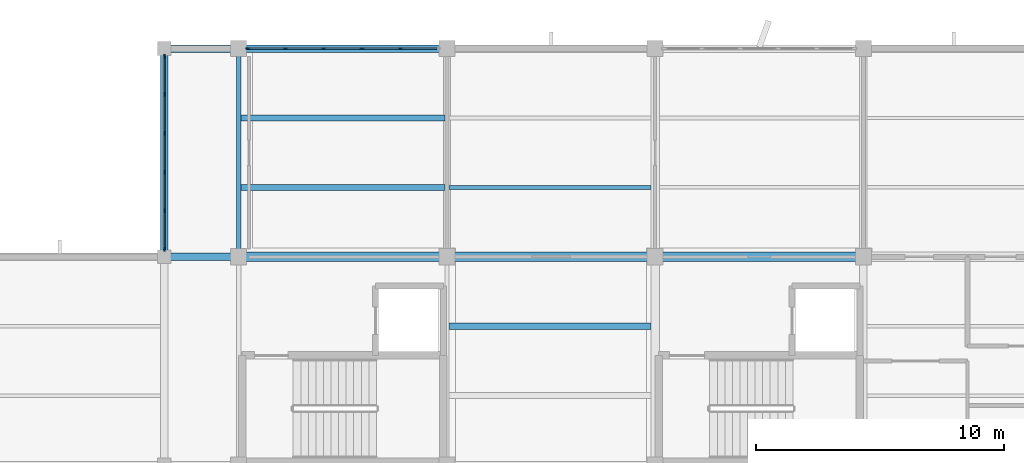
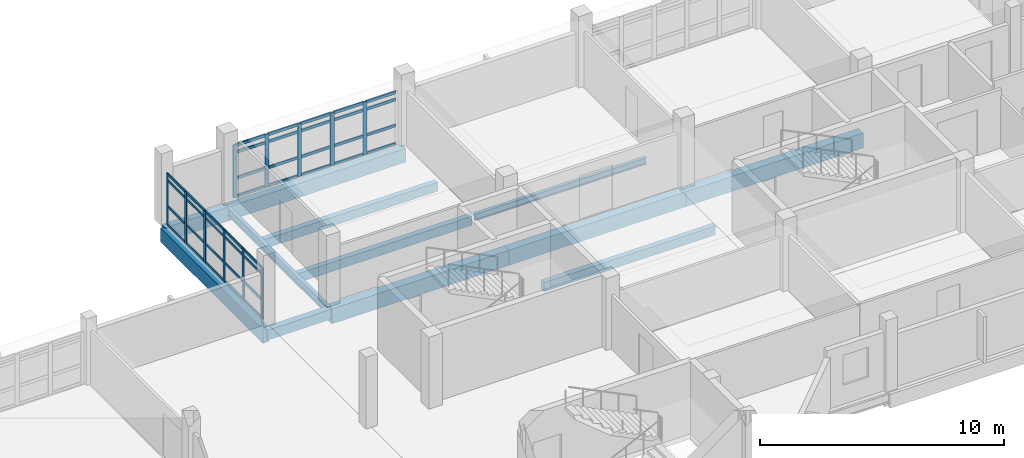
# One storey, part 20 of 51: 51 members, 12 beams, 2 elements without a shape of their own.
"""IFC4 building model written with IfcOpenShell, lengths in metres."""

from ifc_helpers import new_model, si_unit, direction, frame, origin, origin_2d, place, context, subcontext, project, spatial, rectangle, i_section, extrude, material, material_profile, profile_set, type_object, element, aggregate, save


model = new_model("IFC4")

# Units and contexts
model_context = context("Model", 3, precision=1e-05, world=origin(), true_north=direction((0.0, 1.0)))
body_context = subcontext(model_context, "Body", "Model", "MODEL_VIEW")
ifc_project = project(units=[si_unit("LENGTHUNIT", "METRE"), si_unit("AREAUNIT", "SQUARE_METRE"), si_unit("VOLUMEUNIT", "CUBIC_METRE"), si_unit("PLANEANGLEUNIT", "RADIAN"), si_unit("MASSUNIT", "GRAM", prefix="KILO")], contexts=[model_context])

# Site, building, storey
site_placement = place(None, origin())
site = spatial("IfcSite", under=ifc_project, at=site_placement, CompositionType="ELEMENT")
building_placement = place(site_placement, origin())
building = spatial("IfcBuilding", under=site, at=building_placement, Name="Vanh Quang Courtyard School", CompositionType="ELEMENT")
storey_placement = place(building_placement, frame((0.0, 0.0, 11.39990234375)))
storey = spatial("IfcBuildingStorey", under=building, at=storey_placement, Name="L03", CompositionType="ELEMENT", Elevation=11.39990234375)

# Beams
ifc_material_1 = material(Name="Concrete C35/45", Category="concrete")
ifc_material_profile_1 = material_profile(ifc_material_1, rectangle(XDim=0.300048828125, YDim=0.5, at=origin_2d()), Name="RC-BM 300x500")
ifc_profile_set_1 = profile_set([ifc_material_profile_1], Name="Concrete C35/45")
beam_type_1 = type_object("IfcBeamType", Name="BM-RC-300x500", PredefinedType="BEAM", material=ifc_profile_set_1)
beam_1_placement = place(storey_placement, frame((74.39990234375, 88.199951171875, -0.5498046875), z_axis=(1.0, 0.0, 0.0), x_axis=(0.0, 1.0, 0.0)))
element("IfcBeam", 1, at=beam_1_placement, inside=storey, type_object=beam_type_1, Name="Beam B-08 (L03)", PredefinedType="BEAM", context=body_context, shape_type="SweptSolid", body=[
    extrude(rectangle(XDim=0.300048828125, YDim=0.5, at=origin_2d()), origin(), (0.0, 0.0, 1.0), 3.0),
])
ifc_material_profile_2 = material_profile(ifc_material_1, rectangle(XDim=0.39990234375, YDim=0.75, at=origin_2d()), Name="RC-BM 400x750")
ifc_profile_set_2 = profile_set([ifc_material_profile_2], Name="Concrete C35/45")
beam_type_2 = type_object("IfcBeamType", Name="BM-RC-400x750", PredefinedType="BEAM", material=ifc_profile_set_2)
beam_2_placement = place(storey_placement, frame((77.39990234375, 88.199951171875, -0.635009765625), z_axis=(1.0, 0.0, 0.0), x_axis=(0.0, 1.0, 0.0)))
element("IfcBeam", 2, at=beam_2_placement, inside=storey, type_object=beam_type_2, Name="Beam B-03 (L03)", PredefinedType="BEAM", context=body_context, shape_type="SweptSolid", body=[
    extrude(rectangle(XDim=0.39990234375, YDim=0.75, at=origin_2d()), origin(), (0.0, 0.0, 1.0), 8.400146484375),
])
beam_3_placement = place(storey_placement, frame((85.800048828125, 88.199951171875, -0.635009765625), z_axis=(1.0, 0.0, 0.0), x_axis=(0.0, 1.0, 0.0)))
element("IfcBeam", 3, at=beam_3_placement, inside=storey, type_object=beam_type_2, Name="Beam B-03 (L03)", PredefinedType="BEAM", context=body_context, shape_type="SweptSolid", body=[
    extrude(rectangle(XDim=0.39990234375, YDim=0.75, at=origin_2d()), origin(), (0.0, 0.0, 1.0), 8.39990234375),
])
beam_4_placement = place(storey_placement, frame((94.199951171875, 88.199951171875, -0.635009765625), z_axis=(1.0, 0.0, 0.0), x_axis=(0.0, 1.0, 0.0)))
element("IfcBeam", 4, at=beam_4_placement, inside=storey, type_object=beam_type_2, Name="Beam B-03 (L03)", PredefinedType="BEAM", context=body_context, shape_type="SweptSolid", body=[
    extrude(rectangle(XDim=0.39990234375, YDim=0.75, at=origin_2d()), origin(), (0.0, 0.0, 1.0), 8.400146484375),
])
ifc_material_profile_3 = material_profile(ifc_material_1, rectangle(XDim=0.300048828125, YDim=0.699951171875, at=origin_2d()), Name="RC-SP 300x700")
ifc_profile_set_3 = profile_set([ifc_material_profile_3], Name="Concrete C35/45")
beam_type_3 = type_object("IfcBeamType", Name="BM-SP-300x700", PredefinedType="SPANDREL", material=ifc_profile_set_3)
beam_5_placement = place(storey_placement, frame((74.39990234375, 96.60009765625, -0.60986328125), z_axis=(1.0, 0.0, 0.0), x_axis=(0.0, 1.0, 0.0)))
element("IfcBeam", 5, at=beam_5_placement, inside=storey, type_object=beam_type_3, Name="Beam BS-01 (L03)", PredefinedType="SPANDREL", context=body_context, shape_type="SweptSolid", body=[
    extrude(rectangle(XDim=0.300048828125, YDim=0.699951171875, at=origin_2d()), origin(), (0.0, 0.0, 1.0), 3.0),
])
for number, where, z_axis, x_axis, name in (
    (6, (77.39990234375, 96.60009765625, -0.60986328125), (1.0, 0.0, 0.0), (0.0, 1.0, 0.0), "Beam BS-01 (L03)"),
    (7, (74.39990234375, 88.199951171875, -0.64990234375), (0.0, 1.0, 0.0), (-1.0, 0.0, 0.0), "Beam BS-01 (L03)"),
):
    element("IfcBeam", number, at=place(storey_placement, frame(where, z_axis=z_axis, x_axis=x_axis)), inside=storey, type_object=beam_type_3, Name=name, PredefinedType="SPANDREL", context=body_context, shape_type="SweptSolid", body=[
        extrude(rectangle(XDim=0.300048828125, YDim=0.699951171875, at=origin_2d()), origin(), (0.0, 0.0, 1.0), 8.400146484375),
    ])
ifc_material_2 = material(Name="Structural steel EN 10025-2 S355J2", Category="steel")
ifc_material_profile_4 = material_profile(ifc_material_2, i_section(OverallWidth=0.179931640625, OverallDepth=0.39990234375, WebThickness=0.008544921875, FlangeThickness=0.013427734375, FilletRadius=0.02099609375, at=origin_2d()), Name="IPE 400")
ifc_profile_set_4 = profile_set([ifc_material_profile_4], Name="Structural steel EN 10025-2 S355J2")
beam_type_4 = type_object("IfcBeamType", Name="BM-STL-IPE400", PredefinedType="BEAM", material=ifc_profile_set_4)
beam_6_placement = place(storey_placement, frame((77.39990234375, 88.199951171875, -0.4599609375), z_axis=(0.0, 1.0, 0.0), x_axis=(-1.0, 0.0, 0.0)))
element("IfcBeam", 8, at=beam_6_placement, inside=storey, type_object=beam_type_4, Name="Beam SB-05 (L03)", PredefinedType="BEAM", context=body_context, shape_type="SweptSolid", body=[
    extrude(i_section(OverallWidth=0.179931640625, OverallDepth=0.39990234375, WebThickness=0.008544921875, FlangeThickness=0.013427734375, FilletRadius=0.02099609375, at=origin_2d()), origin(), (0.0, 0.0, 1.0), 8.400146484375),
])

# Curtain wall, members
ifc_material_3 = material(Name="Thermally broken aluminium unitised curtain wall", Category="aluminium")
curtain_wall_type_1 = type_object("IfcCurtainWallType", Name="CW-SYS-24", PredefinedType="NOTDEFINED", material=ifc_material_3)
curtain_wall_1_placement = place(storey_placement, origin())
curtain_wall_1 = element("IfcCurtainWall", 9, at=curtain_wall_1_placement, inside=storey, type_object=curtain_wall_type_1, Name="Curtain Wall CW-24 (L03)", PredefinedType="NOTDEFINED")
ifc_material_4 = material(Name="Anodised aluminium 6063-T6", Category="aluminium")
ifc_material_profile_5 = material_profile(ifc_material_4, rectangle(XDim=0.06005859375, YDim=0.159912109375, at=origin_2d()), Name="ALU-MUL 60x160")
ifc_profile_set_5 = profile_set([ifc_material_profile_5], Name="Anodised aluminium 6063-T6")
member_type_1 = type_object("IfcMemberType", Name="CW-MUL-60x160", PredefinedType="MULLION", material=ifc_profile_set_5)
member_1_placement = place(storey_placement, frame((74.39990234375, 88.512939453125, 0.0), z_axis=(0.0, 0.0, 1.0), x_axis=(-1.0, 0.0, 0.0)))
member_1 = element("IfcMember", 10, at=member_1_placement, type_object=member_type_1, Name="CW-24 mullion 1", PredefinedType="MULLION", context=body_context, shape_type="SweptSolid", body=[
    extrude(rectangle(XDim=0.06005859375, YDim=0.159912109375, at=origin_2d()), origin(), (0.0, 0.0, 1.0), 2.580078125),
])
member_2_placement = place(storey_placement, frame((74.39990234375, 90.0498046875, 0.0), z_axis=(0.0, 0.0, 1.0), x_axis=(-1.0, 0.0, 0.0)))
member_2 = element("IfcMember", 11, at=member_2_placement, type_object=member_type_1, Name="CW-24 mullion 2", PredefinedType="MULLION", context=body_context, shape_type="SweptSolid", body=[
    extrude(rectangle(XDim=0.06005859375, YDim=0.159912109375, at=origin_2d()), origin(), (0.0, 0.0, 1.0), 2.580078125),
])
member_3_placement = place(storey_placement, frame((74.39990234375, 91.61669921875, 0.0), z_axis=(0.0, 0.0, 1.0), x_axis=(-1.0, 0.0, 0.0)))
member_3 = element("IfcMember", 12, at=member_3_placement, type_object=member_type_1, Name="CW-24 mullion 3", PredefinedType="MULLION", context=body_context, shape_type="SweptSolid", body=[
    extrude(rectangle(XDim=0.06005859375, YDim=0.159912109375, at=origin_2d()), origin(), (0.0, 0.0, 1.0), 2.580078125),
])
member_4_placement = place(storey_placement, frame((74.39990234375, 93.183349609375, 0.0), z_axis=(0.0, 0.0, 1.0), x_axis=(-1.0, 0.0, 0.0)))
member_4 = element("IfcMember", 13, at=member_4_placement, type_object=member_type_1, Name="CW-24 mullion 4", PredefinedType="MULLION", context=body_context, shape_type="SweptSolid", body=[
    extrude(rectangle(XDim=0.06005859375, YDim=0.159912109375, at=origin_2d()), origin(), (0.0, 0.0, 1.0), 2.580078125),
])
member_5_placement = place(storey_placement, frame((74.39990234375, 94.750244140625, 0.0), z_axis=(0.0, 0.0, 1.0), x_axis=(-1.0, 0.0, 0.0)))
member_5 = element("IfcMember", 14, at=member_5_placement, type_object=member_type_1, Name="CW-24 mullion 5", PredefinedType="MULLION", context=body_context, shape_type="SweptSolid", body=[
    extrude(rectangle(XDim=0.06005859375, YDim=0.159912109375, at=origin_2d()), origin(), (0.0, 0.0, 1.0), 2.580078125),
])
member_6_placement = place(storey_placement, frame((74.39990234375, 96.287109375, 0.0), z_axis=(0.0, 0.0, 1.0), x_axis=(-1.0, 0.0, 0.0)))
member_6 = element("IfcMember", 15, at=member_6_placement, type_object=member_type_1, Name="CW-24 mullion 6", PredefinedType="MULLION", context=body_context, shape_type="SweptSolid", body=[
    extrude(rectangle(XDim=0.06005859375, YDim=0.159912109375, at=origin_2d()), origin(), (0.0, 0.0, 1.0), 2.580078125),
])

curtain_wall_type_2 = type_object("IfcCurtainWallType", Name="CW-SYS-21", PredefinedType="NOTDEFINED", material=ifc_material_3)
curtain_wall_2_placement = place(storey_placement, origin())
curtain_wall_2 = element("IfcCurtainWall", 16, at=curtain_wall_2_placement, inside=storey, type_object=curtain_wall_type_2, Name="Curtain Wall CW-21 (L03)", PredefinedType="NOTDEFINED")
ifc_material_profile_6 = material_profile(ifc_material_4, rectangle(XDim=0.070068359375, YDim=0.179931640625, at=origin_2d()), Name="ALU-MUL 70x180")
ifc_profile_set_6 = profile_set([ifc_material_profile_6], Name="Anodised aluminium 6063-T6")
member_type_2 = type_object("IfcMemberType", Name="CW-MUL-70x180", PredefinedType="MULLION", material=ifc_profile_set_6)
member_7_placement = place(storey_placement, frame((77.76806640625, 96.60009765625, 0.0), z_axis=(0.0, 0.0, 1.0), x_axis=(0.0, 1.0, 0.0)))
member_7 = element("IfcMember", 17, at=member_7_placement, type_object=member_type_2, Name="CW-21 mullion 1", PredefinedType="MULLION", context=body_context, shape_type="SweptSolid", body=[
    extrude(rectangle(XDim=0.070068359375, YDim=0.179931640625, at=origin_2d()), origin(), (0.0, 0.0, 1.0), 2.64013671875),
])
member_8_placement = place(storey_placement, frame((79.27978515625, 96.60009765625, 0.0), z_axis=(0.0, 0.0, 1.0), x_axis=(0.0, 1.0, 0.0)))
member_8 = element("IfcMember", 18, at=member_8_placement, type_object=member_type_2, Name="CW-21 mullion 2", PredefinedType="MULLION", context=body_context, shape_type="SweptSolid", body=[
    extrude(rectangle(XDim=0.070068359375, YDim=0.179931640625, at=origin_2d()), origin(), (0.0, 0.0, 1.0), 2.64013671875),
])
member_9_placement = place(storey_placement, frame((80.82666015625, 96.60009765625, 0.0), z_axis=(0.0, 0.0, 1.0), x_axis=(0.0, 1.0, 0.0)))
member_9 = element("IfcMember", 19, at=member_9_placement, type_object=member_type_2, Name="CW-21 mullion 3", PredefinedType="MULLION", context=body_context, shape_type="SweptSolid", body=[
    extrude(rectangle(XDim=0.070068359375, YDim=0.179931640625, at=origin_2d()), origin(), (0.0, 0.0, 1.0), 2.64013671875),
])
member_10_placement = place(storey_placement, frame((82.373291015625, 96.60009765625, 0.0), z_axis=(0.0, 0.0, 1.0), x_axis=(0.0, 1.0, 0.0)))
member_10 = element("IfcMember", 20, at=member_10_placement, type_object=member_type_2, Name="CW-21 mullion 4", PredefinedType="MULLION", context=body_context, shape_type="SweptSolid", body=[
    extrude(rectangle(XDim=0.070068359375, YDim=0.179931640625, at=origin_2d()), origin(), (0.0, 0.0, 1.0), 2.64013671875),
])
member_11_placement = place(storey_placement, frame((83.920166015625, 96.60009765625, 0.0), z_axis=(0.0, 0.0, 1.0), x_axis=(0.0, 1.0, 0.0)))
member_11 = element("IfcMember", 21, at=member_11_placement, type_object=member_type_2, Name="CW-21 mullion 5", PredefinedType="MULLION", context=body_context, shape_type="SweptSolid", body=[
    extrude(rectangle(XDim=0.070068359375, YDim=0.179931640625, at=origin_2d()), origin(), (0.0, 0.0, 1.0), 2.64013671875),
])

# Member
ifc_material_profile_7 = material_profile(ifc_material_4, rectangle(XDim=0.06005859375, YDim=0.1201171875, at=origin_2d()), Name="ALU-TRN 60x120")
ifc_profile_set_7 = profile_set([ifc_material_profile_7], Name="Anodised aluminium 6063-T6")
member_type_3 = type_object("IfcMemberType", Name="CW-TRN-60x120", PredefinedType="USERDEFINED", material=ifc_profile_set_7)
member_12_placement = place(storey_placement, frame((74.39990234375, 88.54296875, 0.030029296875), z_axis=(0.0, 1.0, 0.0), x_axis=(-1.0, 0.0, 0.0)))
member_12 = element("IfcMember", 22, at=member_12_placement, type_object=member_type_3, Name="CW-24 transom 1.1", ObjectType="TRANSOM", PredefinedType="USERDEFINED", context=body_context, shape_type="SweptSolid", body=[
    extrude(rectangle(XDim=0.06005859375, YDim=0.1201171875, at=origin_2d()), origin(), (0.0, 0.0, 1.0), 1.476806640625),
])

member_13_placement = place(storey_placement, frame((74.39990234375, 88.54296875, 0.9501953125), z_axis=(0.0, 1.0, 0.0), x_axis=(-1.0, 0.0, 0.0)))
member_13 = element("IfcMember", 23, at=member_13_placement, type_object=member_type_3, Name="CW-24 transom 1.2", ObjectType="TRANSOM", PredefinedType="USERDEFINED", context=body_context, shape_type="SweptSolid", body=[
    extrude(rectangle(XDim=0.06005859375, YDim=0.1201171875, at=origin_2d()), origin(), (0.0, 0.0, 1.0), 1.476806640625),
])

member_14_placement = place(storey_placement, frame((74.39990234375, 88.54296875, 2.25), z_axis=(0.0, 1.0, 0.0), x_axis=(-1.0, 0.0, 0.0)))
member_14 = element("IfcMember", 24, at=member_14_placement, type_object=member_type_3, Name="CW-24 transom 1.3", ObjectType="TRANSOM", PredefinedType="USERDEFINED", context=body_context, shape_type="SweptSolid", body=[
    extrude(rectangle(XDim=0.06005859375, YDim=0.1201171875, at=origin_2d()), origin(), (0.0, 0.0, 1.0), 1.476806640625),
])

member_15_placement = place(storey_placement, frame((74.39990234375, 88.54296875, 2.550048828125), z_axis=(0.0, 1.0, 0.0), x_axis=(-1.0, 0.0, 0.0)))
member_15 = element("IfcMember", 25, at=member_15_placement, type_object=member_type_3, Name="CW-24 transom 1.4", ObjectType="TRANSOM", PredefinedType="USERDEFINED", context=body_context, shape_type="SweptSolid", body=[
    extrude(rectangle(XDim=0.06005859375, YDim=0.1201171875, at=origin_2d()), origin(), (0.0, 0.0, 1.0), 1.476806640625),
])

member_16_placement = place(storey_placement, frame((74.39990234375, 90.079833984375, 0.030029296875), z_axis=(0.0, 1.0, 0.0), x_axis=(-1.0, 0.0, 0.0)))
member_16 = element("IfcMember", 26, at=member_16_placement, type_object=member_type_3, Name="CW-24 transom 2.1", ObjectType="TRANSOM", PredefinedType="USERDEFINED", context=body_context, shape_type="SweptSolid", body=[
    extrude(rectangle(XDim=0.06005859375, YDim=0.1201171875, at=origin_2d()), origin(), (0.0, 0.0, 1.0), 1.5068359375),
])

member_17_placement = place(storey_placement, frame((74.39990234375, 90.079833984375, 0.9501953125), z_axis=(0.0, 1.0, 0.0), x_axis=(-1.0, 0.0, 0.0)))
member_17 = element("IfcMember", 27, at=member_17_placement, type_object=member_type_3, Name="CW-24 transom 2.2", ObjectType="TRANSOM", PredefinedType="USERDEFINED", context=body_context, shape_type="SweptSolid", body=[
    extrude(rectangle(XDim=0.06005859375, YDim=0.1201171875, at=origin_2d()), origin(), (0.0, 0.0, 1.0), 1.5068359375),
])

member_18_placement = place(storey_placement, frame((74.39990234375, 90.079833984375, 2.25), z_axis=(0.0, 1.0, 0.0), x_axis=(-1.0, 0.0, 0.0)))
member_18 = element("IfcMember", 28, at=member_18_placement, type_object=member_type_3, Name="CW-24 transom 2.3", ObjectType="TRANSOM", PredefinedType="USERDEFINED", context=body_context, shape_type="SweptSolid", body=[
    extrude(rectangle(XDim=0.06005859375, YDim=0.1201171875, at=origin_2d()), origin(), (0.0, 0.0, 1.0), 1.5068359375),
])

member_19_placement = place(storey_placement, frame((74.39990234375, 90.079833984375, 2.550048828125), z_axis=(0.0, 1.0, 0.0), x_axis=(-1.0, 0.0, 0.0)))
member_19 = element("IfcMember", 29, at=member_19_placement, type_object=member_type_3, Name="CW-24 transom 2.4", ObjectType="TRANSOM", PredefinedType="USERDEFINED", context=body_context, shape_type="SweptSolid", body=[
    extrude(rectangle(XDim=0.06005859375, YDim=0.1201171875, at=origin_2d()), origin(), (0.0, 0.0, 1.0), 1.5068359375),
])

member_20_placement = place(storey_placement, frame((74.39990234375, 91.646484375, 0.030029296875), z_axis=(0.0, 1.0, 0.0), x_axis=(-1.0, 0.0, 0.0)))
member_20 = element("IfcMember", 30, at=member_20_placement, type_object=member_type_3, Name="CW-24 transom 3.1", ObjectType="TRANSOM", PredefinedType="USERDEFINED", context=body_context, shape_type="SweptSolid", body=[
    extrude(rectangle(XDim=0.06005859375, YDim=0.1201171875, at=origin_2d()), origin(), (0.0, 0.0, 1.0), 1.5068359375),
])

member_21_placement = place(storey_placement, frame((74.39990234375, 91.646484375, 0.9501953125), z_axis=(0.0, 1.0, 0.0), x_axis=(-1.0, 0.0, 0.0)))
member_21 = element("IfcMember", 31, at=member_21_placement, type_object=member_type_3, Name="CW-24 transom 3.2", ObjectType="TRANSOM", PredefinedType="USERDEFINED", context=body_context, shape_type="SweptSolid", body=[
    extrude(rectangle(XDim=0.06005859375, YDim=0.1201171875, at=origin_2d()), origin(), (0.0, 0.0, 1.0), 1.5068359375),
])

member_22_placement = place(storey_placement, frame((74.39990234375, 91.646484375, 2.25), z_axis=(0.0, 1.0, 0.0), x_axis=(-1.0, 0.0, 0.0)))
member_22 = element("IfcMember", 32, at=member_22_placement, type_object=member_type_3, Name="CW-24 transom 3.3", ObjectType="TRANSOM", PredefinedType="USERDEFINED", context=body_context, shape_type="SweptSolid", body=[
    extrude(rectangle(XDim=0.06005859375, YDim=0.1201171875, at=origin_2d()), origin(), (0.0, 0.0, 1.0), 1.5068359375),
])

member_23_placement = place(storey_placement, frame((74.39990234375, 91.646484375, 2.550048828125), z_axis=(0.0, 1.0, 0.0), x_axis=(-1.0, 0.0, 0.0)))
member_23 = element("IfcMember", 33, at=member_23_placement, type_object=member_type_3, Name="CW-24 transom 3.4", ObjectType="TRANSOM", PredefinedType="USERDEFINED", context=body_context, shape_type="SweptSolid", body=[
    extrude(rectangle(XDim=0.06005859375, YDim=0.1201171875, at=origin_2d()), origin(), (0.0, 0.0, 1.0), 1.5068359375),
])

member_24_placement = place(storey_placement, frame((74.39990234375, 93.21337890625, 0.030029296875), z_axis=(0.0, 1.0, 0.0), x_axis=(-1.0, 0.0, 0.0)))
member_24 = element("IfcMember", 34, at=member_24_placement, type_object=member_type_3, Name="CW-24 transom 4.1", ObjectType="TRANSOM", PredefinedType="USERDEFINED", context=body_context, shape_type="SweptSolid", body=[
    extrude(rectangle(XDim=0.06005859375, YDim=0.1201171875, at=origin_2d()), origin(), (0.0, 0.0, 1.0), 1.5068359375),
])

member_25_placement = place(storey_placement, frame((74.39990234375, 93.21337890625, 0.9501953125), z_axis=(0.0, 1.0, 0.0), x_axis=(-1.0, 0.0, 0.0)))
member_25 = element("IfcMember", 35, at=member_25_placement, type_object=member_type_3, Name="CW-24 transom 4.2", ObjectType="TRANSOM", PredefinedType="USERDEFINED", context=body_context, shape_type="SweptSolid", body=[
    extrude(rectangle(XDim=0.06005859375, YDim=0.1201171875, at=origin_2d()), origin(), (0.0, 0.0, 1.0), 1.5068359375),
])

member_26_placement = place(storey_placement, frame((74.39990234375, 93.21337890625, 2.25), z_axis=(0.0, 1.0, 0.0), x_axis=(-1.0, 0.0, 0.0)))
member_26 = element("IfcMember", 36, at=member_26_placement, type_object=member_type_3, Name="CW-24 transom 4.3", ObjectType="TRANSOM", PredefinedType="USERDEFINED", context=body_context, shape_type="SweptSolid", body=[
    extrude(rectangle(XDim=0.06005859375, YDim=0.1201171875, at=origin_2d()), origin(), (0.0, 0.0, 1.0), 1.5068359375),
])

member_27_placement = place(storey_placement, frame((74.39990234375, 93.21337890625, 2.550048828125), z_axis=(0.0, 1.0, 0.0), x_axis=(-1.0, 0.0, 0.0)))
member_27 = element("IfcMember", 37, at=member_27_placement, type_object=member_type_3, Name="CW-24 transom 4.4", ObjectType="TRANSOM", PredefinedType="USERDEFINED", context=body_context, shape_type="SweptSolid", body=[
    extrude(rectangle(XDim=0.06005859375, YDim=0.1201171875, at=origin_2d()), origin(), (0.0, 0.0, 1.0), 1.5068359375),
])

member_28_placement = place(storey_placement, frame((74.39990234375, 94.7802734375, 0.030029296875), z_axis=(0.0, 1.0, 0.0), x_axis=(-1.0, 0.0, 0.0)))
member_28 = element("IfcMember", 38, at=member_28_placement, type_object=member_type_3, Name="CW-24 transom 5.1", ObjectType="TRANSOM", PredefinedType="USERDEFINED", context=body_context, shape_type="SweptSolid", body=[
    extrude(rectangle(XDim=0.06005859375, YDim=0.1201171875, at=origin_2d()), origin(), (0.0, 0.0, 1.0), 1.476806640625),
])

member_29_placement = place(storey_placement, frame((74.39990234375, 94.7802734375, 0.9501953125), z_axis=(0.0, 1.0, 0.0), x_axis=(-1.0, 0.0, 0.0)))
member_29 = element("IfcMember", 39, at=member_29_placement, type_object=member_type_3, Name="CW-24 transom 5.2", ObjectType="TRANSOM", PredefinedType="USERDEFINED", context=body_context, shape_type="SweptSolid", body=[
    extrude(rectangle(XDim=0.06005859375, YDim=0.1201171875, at=origin_2d()), origin(), (0.0, 0.0, 1.0), 1.476806640625),
])

member_30_placement = place(storey_placement, frame((74.39990234375, 94.7802734375, 2.25), z_axis=(0.0, 1.0, 0.0), x_axis=(-1.0, 0.0, 0.0)))
member_30 = element("IfcMember", 40, at=member_30_placement, type_object=member_type_3, Name="CW-24 transom 5.3", ObjectType="TRANSOM", PredefinedType="USERDEFINED", context=body_context, shape_type="SweptSolid", body=[
    extrude(rectangle(XDim=0.06005859375, YDim=0.1201171875, at=origin_2d()), origin(), (0.0, 0.0, 1.0), 1.476806640625),
])

member_31_placement = place(storey_placement, frame((74.39990234375, 94.7802734375, 2.550048828125), z_axis=(0.0, 1.0, 0.0), x_axis=(-1.0, 0.0, 0.0)))
member_31 = element("IfcMember", 41, at=member_31_placement, type_object=member_type_3, Name="CW-24 transom 5.4", ObjectType="TRANSOM", PredefinedType="USERDEFINED", context=body_context, shape_type="SweptSolid", body=[
    extrude(rectangle(XDim=0.06005859375, YDim=0.1201171875, at=origin_2d()), origin(), (0.0, 0.0, 1.0), 1.476806640625),
])

aggregate(curtain_wall_1, [member_1, member_2, member_3, member_4, member_5, member_6, member_12, member_13, member_14, member_15, member_16, member_17, member_18, member_19, member_20, member_21, member_22, member_23, member_24, member_25, member_26, member_27, member_28, member_29, member_30, member_31])

ifc_material_profile_8 = material_profile(ifc_material_4, rectangle(XDim=0.070068359375, YDim=0.139892578125, at=origin_2d()), Name="ALU-TRN 70x140")
ifc_profile_set_8 = profile_set([ifc_material_profile_8], Name="Anodised aluminium 6063-T6")
member_type_4 = type_object("IfcMemberType", Name="CW-TRN-70x140", PredefinedType="USERDEFINED", material=ifc_profile_set_8)
member_32_placement = place(storey_placement, frame((77.802978515625, 96.60009765625, 0.03515625), z_axis=(1.0, 0.0, 0.0), x_axis=(0.0, 1.0, 0.0)))
member_32 = element("IfcMember", 42, at=member_32_placement, type_object=member_type_4, Name="CW-21 transom 1.1", ObjectType="TRANSOM", PredefinedType="USERDEFINED", context=body_context, shape_type="SweptSolid", body=[
    extrude(rectangle(XDim=0.070068359375, YDim=0.139892578125, at=origin_2d()), origin(), (0.0, 0.0, 1.0), 1.44189453125),
])

member_33_placement = place(storey_placement, frame((77.802978515625, 96.60009765625, 0.9501953125), z_axis=(1.0, 0.0, 0.0), x_axis=(0.0, 1.0, 0.0)))
member_33 = element("IfcMember", 43, at=member_33_placement, type_object=member_type_4, Name="CW-21 transom 1.2", ObjectType="TRANSOM", PredefinedType="USERDEFINED", context=body_context, shape_type="SweptSolid", body=[
    extrude(rectangle(XDim=0.070068359375, YDim=0.139892578125, at=origin_2d()), origin(), (0.0, 0.0, 1.0), 1.44189453125),
])

member_34_placement = place(storey_placement, frame((77.802978515625, 96.60009765625, 2.25), z_axis=(1.0, 0.0, 0.0), x_axis=(0.0, 1.0, 0.0)))
member_34 = element("IfcMember", 44, at=member_34_placement, type_object=member_type_4, Name="CW-21 transom 1.3", ObjectType="TRANSOM", PredefinedType="USERDEFINED", context=body_context, shape_type="SweptSolid", body=[
    extrude(rectangle(XDim=0.070068359375, YDim=0.139892578125, at=origin_2d()), origin(), (0.0, 0.0, 1.0), 1.44189453125),
])

member_35_placement = place(storey_placement, frame((77.802978515625, 96.60009765625, 2.60498046875), z_axis=(1.0, 0.0, 0.0), x_axis=(0.0, 1.0, 0.0)))
member_35 = element("IfcMember", 45, at=member_35_placement, type_object=member_type_4, Name="CW-21 transom 1.4", ObjectType="TRANSOM", PredefinedType="USERDEFINED", context=body_context, shape_type="SweptSolid", body=[
    extrude(rectangle(XDim=0.070068359375, YDim=0.139892578125, at=origin_2d()), origin(), (0.0, 0.0, 1.0), 1.44189453125),
])

member_36_placement = place(storey_placement, frame((79.314697265625, 96.60009765625, 0.03515625), z_axis=(1.0, 0.0, 0.0), x_axis=(0.0, 1.0, 0.0)))
member_36 = element("IfcMember", 46, at=member_36_placement, type_object=member_type_4, Name="CW-21 transom 2.1", ObjectType="TRANSOM", PredefinedType="USERDEFINED", context=body_context, shape_type="SweptSolid", body=[
    extrude(rectangle(XDim=0.070068359375, YDim=0.139892578125, at=origin_2d()), origin(), (0.0, 0.0, 1.0), 1.476806640625),
])

member_37_placement = place(storey_placement, frame((79.314697265625, 96.60009765625, 0.9501953125), z_axis=(1.0, 0.0, 0.0), x_axis=(0.0, 1.0, 0.0)))
member_37 = element("IfcMember", 47, at=member_37_placement, type_object=member_type_4, Name="CW-21 transom 2.2", ObjectType="TRANSOM", PredefinedType="USERDEFINED", context=body_context, shape_type="SweptSolid", body=[
    extrude(rectangle(XDim=0.070068359375, YDim=0.139892578125, at=origin_2d()), origin(), (0.0, 0.0, 1.0), 1.476806640625),
])

member_38_placement = place(storey_placement, frame((79.314697265625, 96.60009765625, 2.25), z_axis=(1.0, 0.0, 0.0), x_axis=(0.0, 1.0, 0.0)))
member_38 = element("IfcMember", 48, at=member_38_placement, type_object=member_type_4, Name="CW-21 transom 2.3", ObjectType="TRANSOM", PredefinedType="USERDEFINED", context=body_context, shape_type="SweptSolid", body=[
    extrude(rectangle(XDim=0.070068359375, YDim=0.139892578125, at=origin_2d()), origin(), (0.0, 0.0, 1.0), 1.476806640625),
])

member_39_placement = place(storey_placement, frame((79.314697265625, 96.60009765625, 2.60498046875), z_axis=(1.0, 0.0, 0.0), x_axis=(0.0, 1.0, 0.0)))
member_39 = element("IfcMember", 49, at=member_39_placement, type_object=member_type_4, Name="CW-21 transom 2.4", ObjectType="TRANSOM", PredefinedType="USERDEFINED", context=body_context, shape_type="SweptSolid", body=[
    extrude(rectangle(XDim=0.070068359375, YDim=0.139892578125, at=origin_2d()), origin(), (0.0, 0.0, 1.0), 1.476806640625),
])

member_40_placement = place(storey_placement, frame((80.861572265625, 96.60009765625, 0.03515625), z_axis=(1.0, 0.0, 0.0), x_axis=(0.0, 1.0, 0.0)))
member_40 = element("IfcMember", 50, at=member_40_placement, type_object=member_type_4, Name="CW-21 transom 3.1", ObjectType="TRANSOM", PredefinedType="USERDEFINED", context=body_context, shape_type="SweptSolid", body=[
    extrude(rectangle(XDim=0.070068359375, YDim=0.139892578125, at=origin_2d()), origin(), (0.0, 0.0, 1.0), 1.476806640625),
])

member_41_placement = place(storey_placement, frame((80.861572265625, 96.60009765625, 0.9501953125), z_axis=(1.0, 0.0, 0.0), x_axis=(0.0, 1.0, 0.0)))
member_41 = element("IfcMember", 51, at=member_41_placement, type_object=member_type_4, Name="CW-21 transom 3.2", ObjectType="TRANSOM", PredefinedType="USERDEFINED", context=body_context, shape_type="SweptSolid", body=[
    extrude(rectangle(XDim=0.070068359375, YDim=0.139892578125, at=origin_2d()), origin(), (0.0, 0.0, 1.0), 1.476806640625),
])

member_42_placement = place(storey_placement, frame((80.861572265625, 96.60009765625, 2.25), z_axis=(1.0, 0.0, 0.0), x_axis=(0.0, 1.0, 0.0)))
member_42 = element("IfcMember", 52, at=member_42_placement, type_object=member_type_4, Name="CW-21 transom 3.3", ObjectType="TRANSOM", PredefinedType="USERDEFINED", context=body_context, shape_type="SweptSolid", body=[
    extrude(rectangle(XDim=0.070068359375, YDim=0.139892578125, at=origin_2d()), origin(), (0.0, 0.0, 1.0), 1.476806640625),
])

member_43_placement = place(storey_placement, frame((80.861572265625, 96.60009765625, 2.60498046875), z_axis=(1.0, 0.0, 0.0), x_axis=(0.0, 1.0, 0.0)))
member_43 = element("IfcMember", 53, at=member_43_placement, type_object=member_type_4, Name="CW-21 transom 3.4", ObjectType="TRANSOM", PredefinedType="USERDEFINED", context=body_context, shape_type="SweptSolid", body=[
    extrude(rectangle(XDim=0.070068359375, YDim=0.139892578125, at=origin_2d()), origin(), (0.0, 0.0, 1.0), 1.476806640625),
])

member_44_placement = place(storey_placement, frame((82.408447265625, 96.60009765625, 0.03515625), z_axis=(1.0, 0.0, 0.0), x_axis=(0.0, 1.0, 0.0)))
member_44 = element("IfcMember", 54, at=member_44_placement, type_object=member_type_4, Name="CW-21 transom 4.1", ObjectType="TRANSOM", PredefinedType="USERDEFINED", context=body_context, shape_type="SweptSolid", body=[
    extrude(rectangle(XDim=0.070068359375, YDim=0.139892578125, at=origin_2d()), origin(), (0.0, 0.0, 1.0), 1.476806640625),
])

member_45_placement = place(storey_placement, frame((82.408447265625, 96.60009765625, 0.9501953125), z_axis=(1.0, 0.0, 0.0), x_axis=(0.0, 1.0, 0.0)))
member_45 = element("IfcMember", 55, at=member_45_placement, type_object=member_type_4, Name="CW-21 transom 4.2", ObjectType="TRANSOM", PredefinedType="USERDEFINED", context=body_context, shape_type="SweptSolid", body=[
    extrude(rectangle(XDim=0.070068359375, YDim=0.139892578125, at=origin_2d()), origin(), (0.0, 0.0, 1.0), 1.476806640625),
])

member_46_placement = place(storey_placement, frame((82.408447265625, 96.60009765625, 2.25), z_axis=(1.0, 0.0, 0.0), x_axis=(0.0, 1.0, 0.0)))
member_46 = element("IfcMember", 56, at=member_46_placement, type_object=member_type_4, Name="CW-21 transom 4.3", ObjectType="TRANSOM", PredefinedType="USERDEFINED", context=body_context, shape_type="SweptSolid", body=[
    extrude(rectangle(XDim=0.070068359375, YDim=0.139892578125, at=origin_2d()), origin(), (0.0, 0.0, 1.0), 1.476806640625),
])

member_47_placement = place(storey_placement, frame((82.408447265625, 96.60009765625, 2.60498046875), z_axis=(1.0, 0.0, 0.0), x_axis=(0.0, 1.0, 0.0)))
member_47 = element("IfcMember", 57, at=member_47_placement, type_object=member_type_4, Name="CW-21 transom 4.4", ObjectType="TRANSOM", PredefinedType="USERDEFINED", context=body_context, shape_type="SweptSolid", body=[
    extrude(rectangle(XDim=0.070068359375, YDim=0.139892578125, at=origin_2d()), origin(), (0.0, 0.0, 1.0), 1.476806640625),
])

member_48_placement = place(storey_placement, frame((83.955078125, 96.60009765625, 0.03515625), z_axis=(1.0, 0.0, 0.0), x_axis=(0.0, 1.0, 0.0)))
member_48 = element("IfcMember", 58, at=member_48_placement, type_object=member_type_4, Name="CW-21 transom 5.1", ObjectType="TRANSOM", PredefinedType="USERDEFINED", context=body_context, shape_type="SweptSolid", body=[
    extrude(rectangle(XDim=0.070068359375, YDim=0.139892578125, at=origin_2d()), origin(), (0.0, 0.0, 1.0), 1.44189453125),
])

member_49_placement = place(storey_placement, frame((83.955078125, 96.60009765625, 0.9501953125), z_axis=(1.0, 0.0, 0.0), x_axis=(0.0, 1.0, 0.0)))
member_49 = element("IfcMember", 59, at=member_49_placement, type_object=member_type_4, Name="CW-21 transom 5.2", ObjectType="TRANSOM", PredefinedType="USERDEFINED", context=body_context, shape_type="SweptSolid", body=[
    extrude(rectangle(XDim=0.070068359375, YDim=0.139892578125, at=origin_2d()), origin(), (0.0, 0.0, 1.0), 1.44189453125),
])

member_50_placement = place(storey_placement, frame((83.955078125, 96.60009765625, 2.25), z_axis=(1.0, 0.0, 0.0), x_axis=(0.0, 1.0, 0.0)))
member_50 = element("IfcMember", 60, at=member_50_placement, type_object=member_type_4, Name="CW-21 transom 5.3", ObjectType="TRANSOM", PredefinedType="USERDEFINED", context=body_context, shape_type="SweptSolid", body=[
    extrude(rectangle(XDim=0.070068359375, YDim=0.139892578125, at=origin_2d()), origin(), (0.0, 0.0, 1.0), 1.44189453125),
])

member_51_placement = place(storey_placement, frame((83.955078125, 96.60009765625, 2.60498046875), z_axis=(1.0, 0.0, 0.0), x_axis=(0.0, 1.0, 0.0)))
member_51 = element("IfcMember", 61, at=member_51_placement, type_object=member_type_4, Name="CW-21 transom 5.4", ObjectType="TRANSOM", PredefinedType="USERDEFINED", context=body_context, shape_type="SweptSolid", body=[
    extrude(rectangle(XDim=0.070068359375, YDim=0.139892578125, at=origin_2d()), origin(), (0.0, 0.0, 1.0), 1.44189453125),
])

aggregate(curtain_wall_2, [member_7, member_8, member_9, member_10, member_11, member_32, member_33, member_34, member_35, member_36, member_37, member_38, member_39, member_40, member_41, member_42, member_43, member_44, member_45, member_46, member_47, member_48, member_49, member_50, member_51])

# Beams
ifc_material_5 = material(Name="Concrete C30/37", Category="concrete")
ifc_material_profile_9 = material_profile(ifc_material_5, rectangle(XDim=0.25, YDim=0.449951171875, at=origin_2d()), Name="RC-JST 250x450")
ifc_profile_set_9 = profile_set([ifc_material_profile_9], Name="Concrete C30/37")
beam_type_5 = type_object("IfcBeamType", Name="JST-RC-250x450", PredefinedType="JOIST", material=ifc_profile_set_9)
for number, where, z_axis, x_axis, name in (
    (62, (77.489990234375, 91.0, -0.48486328125), (1.0, 0.0, 0.0), (0.0, 1.0, 0.0), "Beam BJ-02 (L03)"),
    (63, (77.489990234375, 93.800048828125, -0.48486328125), (1.0, 0.0, 0.0), (0.0, 1.0, 0.0), "Beam BJ-02 (L03)"),
):
    element("IfcBeam", number, at=place(storey_placement, frame(where, z_axis=z_axis, x_axis=x_axis)), inside=storey, type_object=beam_type_5, Name=name, PredefinedType="JOIST", context=body_context, shape_type="SweptSolid", body=[
        extrude(rectangle(XDim=0.25, YDim=0.449951171875, at=origin_2d()), origin(), (0.0, 0.0, 1.0), 8.22509765625),
    ])
beam_7_placement = place(storey_placement, frame((85.885009765625, 85.39990234375, -0.48486328125), z_axis=(1.0, 0.0, 0.0), x_axis=(0.0, 1.0, 0.0)))
element("IfcBeam", 64, at=beam_7_placement, inside=storey, type_object=beam_type_5, Name="Beam BJ-02 (L03)", PredefinedType="JOIST", context=body_context, shape_type="SweptSolid", body=[
    extrude(rectangle(XDim=0.25, YDim=0.449951171875, at=origin_2d()), origin(), (0.0, 0.0, 1.0), 8.139892578125),
])
ifc_material_profile_10 = material_profile(ifc_material_2, i_section(OverallWidth=0.159912109375, OverallDepth=0.330078125, WebThickness=0.007568359375, FlangeThickness=0.011474609375, FilletRadius=0.01806640625, at=origin_2d()), Name="IPE 330")
ifc_profile_set_10 = profile_set([ifc_material_profile_10], Name="Structural steel EN 10025-2 S355J2")
beam_type_6 = type_object("IfcBeamType", Name="JST-STL-IPE330", PredefinedType="JOIST", material=ifc_profile_set_10)
beam_8_placement = place(storey_placement, frame((85.885009765625, 91.0, -0.4248046875), z_axis=(1.0, 0.0, 0.0), x_axis=(0.0, 1.0, 0.0)))
element("IfcBeam", 65, at=beam_8_placement, inside=storey, type_object=beam_type_6, Name="Beam SJ-01 (L03)", PredefinedType="JOIST", context=body_context, shape_type="SweptSolid", body=[
    extrude(i_section(OverallWidth=0.159912109375, OverallDepth=0.330078125, WebThickness=0.007568359375, FlangeThickness=0.011474609375, FilletRadius=0.01806640625, at=origin_2d()), origin(), (0.0, 0.0, 1.0), 8.139892578125),
])

save(model, "model.ifc")
